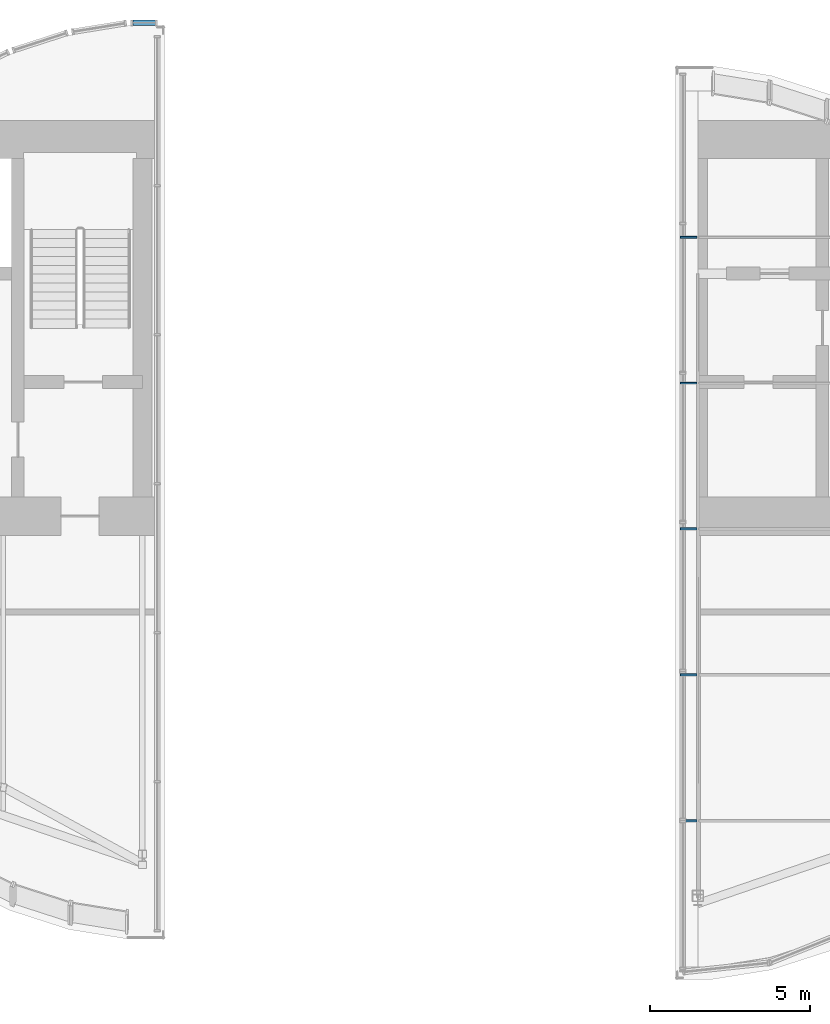
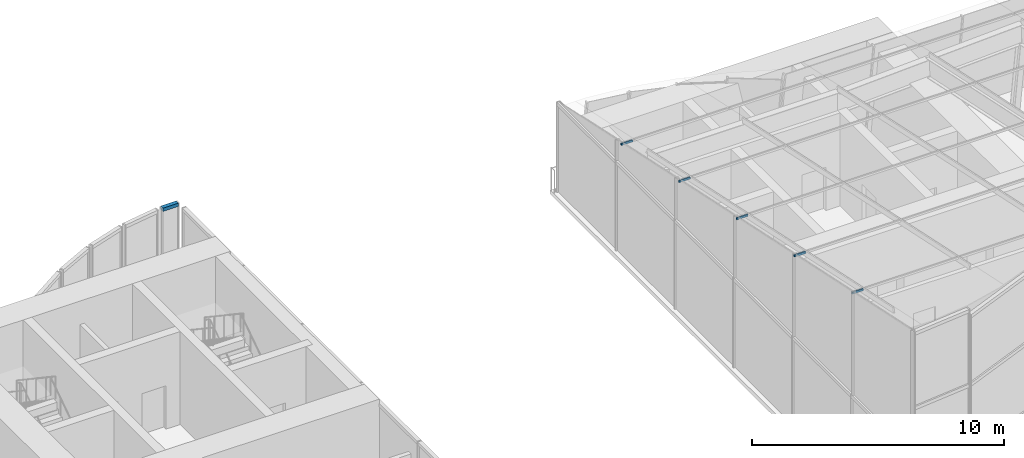
# One storey, part 8 of 17: 6 members, 2 elements without a shape of their own.
"""IFC4 building model written with IfcOpenShell, lengths in metres."""

from ifc_helpers import new_model, si_unit, direction, frame, origin, origin_2d, place, context, subcontext, project, spatial, rectangle, extrude, material, material_profile, profile_set, type_object, element, aggregate, save


model = new_model("IFC4")

# Units and contexts
model_context = context("Model", 3, precision=1e-05, world=origin(), true_north=direction((0.0, 1.0)))
body_context = subcontext(model_context, "Body", "Model", "MODEL_VIEW")
ifc_project = project(units=[si_unit("LENGTHUNIT", "METRE"), si_unit("AREAUNIT", "SQUARE_METRE"), si_unit("VOLUMEUNIT", "CUBIC_METRE"), si_unit("PLANEANGLEUNIT", "RADIAN"), si_unit("MASSUNIT", "GRAM", prefix="KILO")], contexts=[model_context])

# Site, building, storey
site_placement = place(None, origin())
site = spatial("IfcSite", under=ifc_project, at=site_placement, CompositionType="ELEMENT")
building_placement = place(site_placement, origin())
building = spatial("IfcBuilding", under=site, at=building_placement, Name="Bicima Exchange Tower", CompositionType="ELEMENT")
storey_placement = place(building_placement, frame((0.0, 0.0, 356.89990234375)))
storey = spatial("IfcBuildingStorey", under=building, at=storey_placement, Name="L80", CompositionType="ELEMENT", Elevation=356.89990234375)

# Curtain wall, member
ifc_material = material(Name="Anodised bronze aluminium", Category="aluminium")
curtain_wall_type = type_object("IfcCurtainWallType", Name="Crown glass wall", PredefinedType="NOTDEFINED", material=ifc_material)
curtain_wall_1_placement = place(storey_placement, origin())
curtain_wall_1 = element("IfcCurtainWall", 1, at=curtain_wall_1_placement, inside=storey, type_object=curtain_wall_type, Name="Crown glass wall L80 run 3", PredefinedType="NOTDEFINED")
ifc_material_profile_1 = material_profile(ifc_material, rectangle(XDim=0.179931640625, YDim=0.159912109375, at=origin_2d()))
ifc_profile_set_1 = profile_set([ifc_material_profile_1], Name="Anodised bronze aluminium")
member_type_1 = type_object("IfcMemberType", Name="Crown glass wall transom 160 x 180", PredefinedType="USERDEFINED", material=ifc_profile_set_1)
member_1_placement = place(storey_placement, frame((-8.2900390625, 3.052978515625, 4.22021484375), z_axis=(-1.0, 0.0, 0.0), x_axis=(0.0, -1.0, 0.0)))
member_1 = element("IfcMember", 2, at=member_1_placement, type_object=member_type_1, Name="Crown glass wall transom 1.1", ObjectType="TRANSOM", PredefinedType="USERDEFINED", context=body_context, shape_type="SweptSolid", body=[
    extrude(rectangle(XDim=0.179931640625, YDim=0.159912109375, at=origin_2d()), origin(), (0.0, 0.0, 1.0), 0.708251953125),
])
aggregate(curtain_wall_1, [member_1])

# Curtain wall, members
curtain_wall_2_placement = place(storey_placement, origin())
curtain_wall_2 = element("IfcCurtainWall", 3, at=curtain_wall_2_placement, inside=storey, type_object=curtain_wall_type, Name="Roof glazing east", PredefinedType="NOTDEFINED")
ifc_material_profile_2 = material_profile(ifc_material, rectangle(XDim=0.06005859375, YDim=0.090087890625, at=origin_2d()))
ifc_profile_set_2 = profile_set([ifc_material_profile_2], Name="Anodised bronze aluminium")
member_type_2 = type_object("IfcMemberType", Name="Roof glazing bar 60 x 90", PredefinedType="USERDEFINED", material=ifc_profile_set_2)
member_2_placement = place(storey_placement, frame((8.14990234375, -21.94140625, 9.294189453125), z_axis=(1.0, 0.0, 0.0), x_axis=(0.0, 1.0, 0.0)))
member_2 = element("IfcMember", 4, at=member_2_placement, type_object=member_type_2, Name="Roof glazing bar east cross 1.1", ObjectType="GLAZING BAR", PredefinedType="USERDEFINED", context=body_context, shape_type="SweptSolid", body=[
    extrude(rectangle(XDim=0.06005859375, YDim=0.090087890625, at=origin_2d()), origin(), (0.0, 0.0, 1.0), 0.52001953125),
])
member_3_placement = place(storey_placement, frame((8.14990234375, -17.3701171875, 8.322509765625), z_axis=(1.0, 0.0, 0.0), x_axis=(0.0, 1.0, 0.0)))
member_3 = element("IfcMember", 5, at=member_3_placement, type_object=member_type_2, Name="Roof glazing bar east cross 2.1", ObjectType="GLAZING BAR", PredefinedType="USERDEFINED", context=body_context, shape_type="SweptSolid", body=[
    extrude(rectangle(XDim=0.06005859375, YDim=0.090087890625, at=origin_2d()), origin(), (0.0, 0.0, 1.0), 0.52001953125),
])
member_4_placement = place(storey_placement, frame((8.14990234375, -12.798583984375, 7.3505859375), z_axis=(1.0, 0.0, 0.0), x_axis=(0.0, 1.0, 0.0)))
member_4 = element("IfcMember", 6, at=member_4_placement, type_object=member_type_2, Name="Roof glazing bar east cross 3.1", ObjectType="GLAZING BAR", PredefinedType="USERDEFINED", context=body_context, shape_type="SweptSolid", body=[
    extrude(rectangle(XDim=0.06005859375, YDim=0.090087890625, at=origin_2d()), origin(), (0.0, 0.0, 1.0), 0.52001953125),
])
member_5_placement = place(storey_placement, frame((8.14990234375, -8.227294921875, 6.37890625), z_axis=(1.0, 0.0, 0.0), x_axis=(0.0, 1.0, 0.0)))
member_5 = element("IfcMember", 7, at=member_5_placement, type_object=member_type_2, Name="Roof glazing bar east cross 4.1", ObjectType="GLAZING BAR", PredefinedType="USERDEFINED", context=body_context, shape_type="SweptSolid", body=[
    extrude(rectangle(XDim=0.06005859375, YDim=0.090087890625, at=origin_2d()), origin(), (0.0, 0.0, 1.0), 0.52001953125),
])
member_6_placement = place(storey_placement, frame((8.14990234375, -3.65576171875, 5.4072265625), z_axis=(1.0, 0.0, 0.0), x_axis=(0.0, 1.0, 0.0)))
member_6 = element("IfcMember", 8, at=member_6_placement, type_object=member_type_2, Name="Roof glazing bar east cross 5.1", ObjectType="GLAZING BAR", PredefinedType="USERDEFINED", context=body_context, shape_type="SweptSolid", body=[
    extrude(rectangle(XDim=0.06005859375, YDim=0.090087890625, at=origin_2d()), origin(), (0.0, 0.0, 1.0), 0.52001953125),
])
aggregate(curtain_wall_2, [member_2, member_3, member_4, member_5, member_6])

save(model, "model.ifc")
